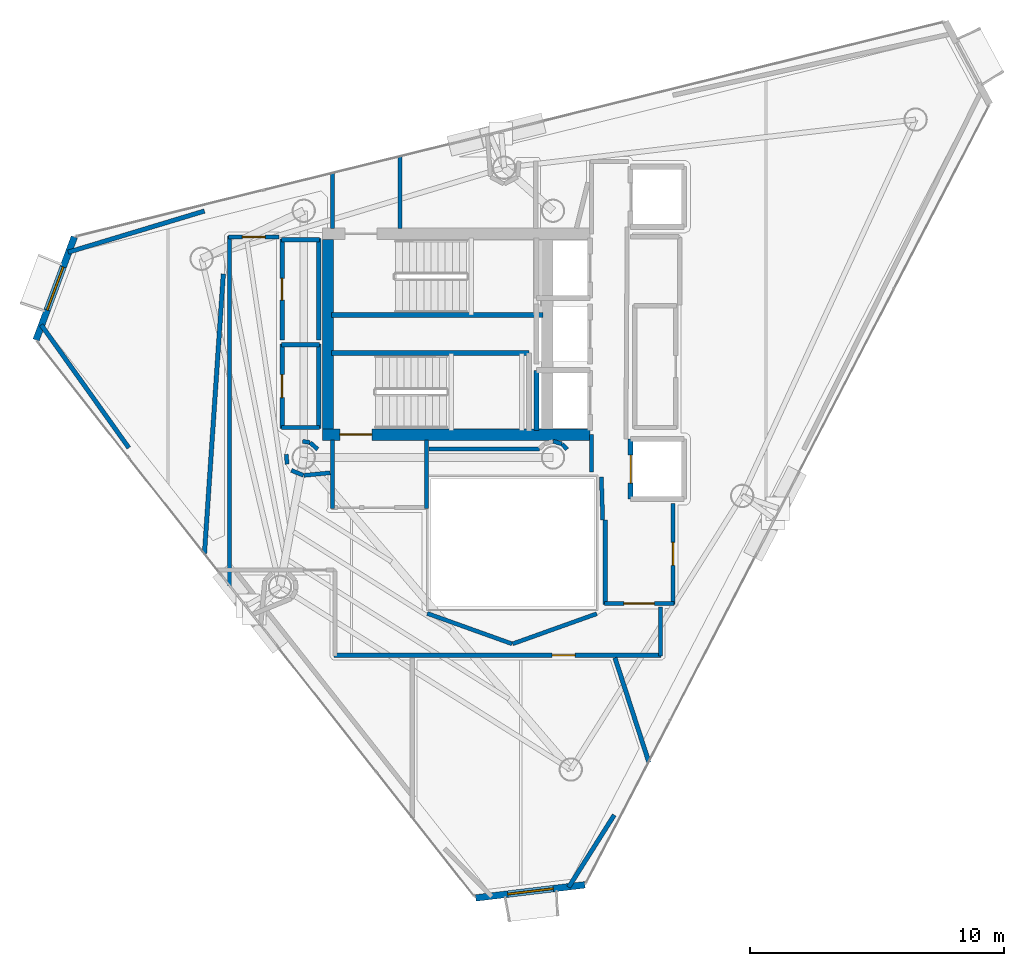
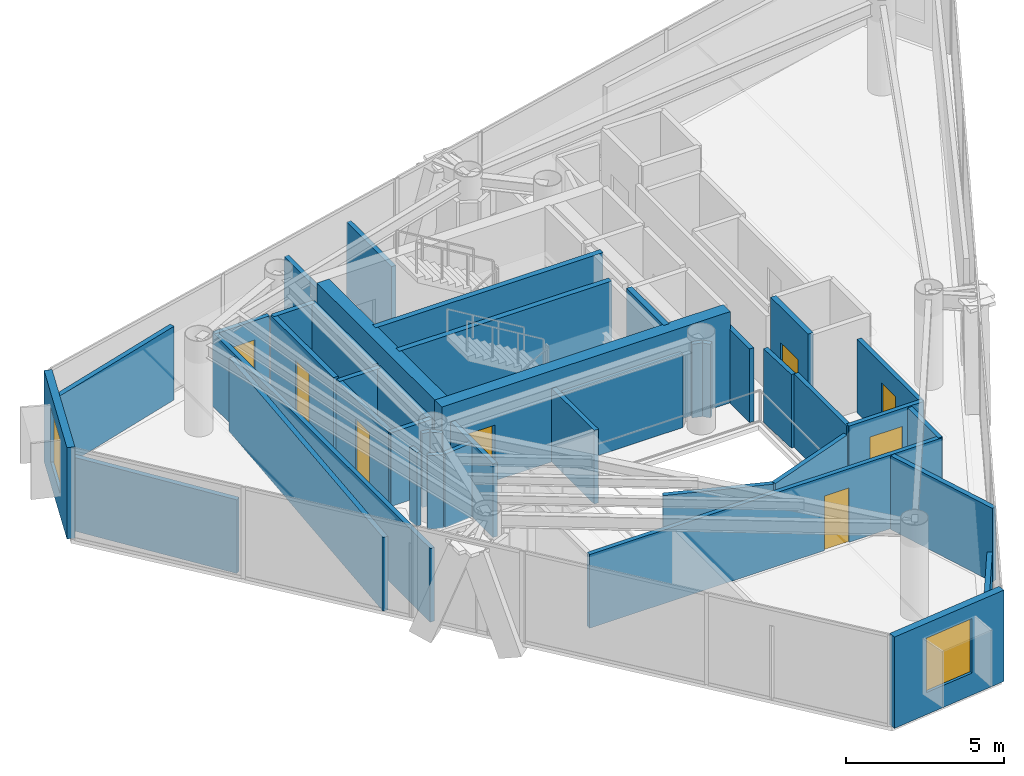
# One storey, part 18 of 21: 43 walls, 8 doors, 2 windows, 10 openings.
"""IFC4 building model written with IfcOpenShell, lengths in metres."""

from ifc_helpers import new_model, si_unit, direction, frame, frame_2d, origin, place, context, subcontext, project, spatial, rectangle, extrude, material, layer, layer_set, type_object, element, fill, save


model = new_model("IFC4")

# Units and contexts
model_context = context("Model", 3, precision=1e-05, world=origin(), true_north=direction((0.0, 1.0)))
body_context = subcontext(model_context, "Body", "Model", "MODEL_VIEW")
ifc_project = project(units=[si_unit("LENGTHUNIT", "METRE"), si_unit("AREAUNIT", "SQUARE_METRE"), si_unit("VOLUMEUNIT", "CUBIC_METRE"), si_unit("PLANEANGLEUNIT", "RADIAN"), si_unit("MASSUNIT", "GRAM", prefix="KILO")], contexts=[model_context])

# Site, building, storey
site_placement = place(None, origin())
site = spatial("IfcSite", under=ifc_project, at=site_placement, CompositionType="ELEMENT")
building_placement = place(site_placement, origin())
building = spatial("IfcBuilding", under=site, at=building_placement, Name="Qianvela Tower", CompositionType="ELEMENT")
storey_placement = place(building_placement, frame((0.0, 0.0, 310.199951171875)))
storey = spatial("IfcBuildingStorey", under=building, at=storey_placement, Name="L80", CompositionType="ELEMENT", Elevation=310.199951171875)

# Wall, opening, window
ifc_material_1 = material(Name="Terracotta Cladding on Concrete C40", Category="masonry")
ifc_layer_1 = layer(ifc_material_1, 0.260009765625)
ifc_layer_set_1 = layer_set([ifc_layer_1], Name="Terracotta Cladding on Concrete C40")
wall_type_1 = type_object("IfcWallType", Name="TERRACOTTA-WALL-260", PredefinedType="SOLIDWALL", material=ifc_layer_set_1)
wall_1_placement = place(storey_placement, frame((19.5859375, 32.5224609375, 0.0), z_axis=(0.0, 0.0, 1.0), x_axis=(-0.34812554465, -0.937447921307, 0.0)))
wall_1 = element("IfcWall", 1, at=wall_1_placement, inside=storey, type_object=wall_type_1, Name="L80 Terracotta Chamfer Facet Wall 3", PredefinedType="SOLIDWALL", context=body_context, shape_type="SweptSolid", body=[
    extrude(rectangle(XDim=4.322021484375, YDim=0.260009765625, at=frame_2d((2.1611328125, 0.0))), origin(), (0.0, 0.0, 1.0), 3.52001953125),
])
opening_1_placement = place(wall_1_placement, frame((1.260986328125, 0.0, 0.85009765625)))
opening_1 = element("IfcOpeningElement", 2, at=opening_1_placement, cuts=wall_1, Name="Opening W-01", PredefinedType="OPENING", context=body_context, shape_type="SweptSolid", body=[
    extrude(rectangle(XDim=1.800048828125, YDim=2.10009765625, at=frame_2d((0.89990234375, 1.050048828125))), frame((0.0, 0.139892578125, 0.0), z_axis=(0.0, -1.0, 0.0), x_axis=(1.0, 0.0, 0.0)), (0.0, 0.0, 1.0), 0.280029296875),
])
ifc_material_2 = material(Name="Thermally Broken Aluminium and Low-E Glass", Category="aluminium")
window_type = type_object("IfcWindowType", Name="WIN-TC-1800x2100", PartitioningType="DOUBLE_PANEL_VERTICAL", PredefinedType="WINDOW", material=ifc_material_2)
window_1_placement = place(opening_1_placement, origin())
window_1 = element("IfcWindow", 3, at=window_1_placement, inside=storey, type_object=window_type, Name="L80 Chamfer Facet Window 3.1", OverallHeight=2.10009765625, OverallWidth=1.800048828125, PartitioningType="SINGLE_PANEL", PredefinedType="WINDOW", context=body_context, shape_type="SweptSolid", body=[
    extrude(rectangle(XDim=1.800048828125, YDim=2.10009765625, at=frame_2d((0.89990234375, 1.050048828125))), frame((0.0, 0.030029296875, 0.0), z_axis=(0.0, -1.0, 0.0), x_axis=(1.0, 0.0, 0.0)), (0.0, 0.0, 1.0), 0.06005859375),
])
fill(opening_1, window_1)

wall_2_placement = place(storey_placement, frame((35.362548828125, 6.541748046875, 0.0), z_axis=(0.0, 0.0, 1.0), x_axis=(0.992851691793, 0.119354589791, 0.0)))
wall_2 = element("IfcWall", 4, at=wall_2_placement, inside=storey, type_object=wall_type_1, Name="L80 Terracotta Chamfer Facet Wall 5", PredefinedType="SOLIDWALL", context=body_context, shape_type="SweptSolid", body=[
    extrude(rectangle(XDim=4.322265625, YDim=0.260009765625, at=frame_2d((2.1611328125, 0.0))), origin(), (0.0, 0.0, 1.0), 3.52001953125),
])
opening_2_placement = place(wall_2_placement, frame((1.260986328125, 0.0, 0.85009765625)))
opening_2 = element("IfcOpeningElement", 5, at=opening_2_placement, cuts=wall_2, Name="Opening W-01", PredefinedType="OPENING", context=body_context, shape_type="SweptSolid", body=[
    extrude(rectangle(XDim=1.800048828125, YDim=2.10009765625, at=frame_2d((0.89990234375, 1.050048828125))), frame((0.0, 0.139892578125, 0.0), z_axis=(0.0, -1.0, 0.0), x_axis=(1.0, 0.0, 0.0)), (0.0, 0.0, 1.0), 0.280029296875),
])
window_2_placement = place(opening_2_placement, origin())
window_2 = element("IfcWindow", 6, at=window_2_placement, inside=storey, type_object=window_type, Name="L80 Chamfer Facet Window 5.1", OverallHeight=2.10009765625, OverallWidth=1.800048828125, PartitioningType="SINGLE_PANEL", PredefinedType="WINDOW", context=body_context, shape_type="SweptSolid", body=[
    extrude(rectangle(XDim=1.800048828125, YDim=2.10009765625, at=frame_2d((0.89990234375, 1.050048828125))), frame((0.0, 0.030029296875, 0.0), z_axis=(0.0, -1.0, 0.0), x_axis=(1.0, 0.0, 0.0)), (0.0, 0.0, 1.0), 0.06005859375),
])
fill(opening_2, window_2)

# Wall, opening, door
ifc_material_3 = material(Name="Concrete C50", Category="concrete")
ifc_layer_2 = layer(ifc_material_3, 0.449951171875)
ifc_layer_set_2 = layer_set([ifc_layer_2], Name="Concrete C50")
wall_type_2 = type_object("IfcWallType", Name="WT-CORE-450", PredefinedType="SHEAR", material=ifc_layer_set_2)
wall_3_placement = place(storey_placement, frame((29.330078125, 24.7548828125, 0.0), z_axis=(0.0, 0.0, 1.0), x_axis=(1.0, 0.0, 0.0)))
wall_3 = element("IfcWall", 7, at=wall_3_placement, inside=storey, type_object=wall_type_2, Name="L80 South Core Shear Wall", PredefinedType="SHEAR", context=body_context, shape_type="SweptSolid", body=[
    extrude(rectangle(XDim=10.52001953125, YDim=0.449951171875, at=frame_2d((5.260009765625, 0.0))), origin(), (0.0, 0.0, 1.0), 3.52001953125),
])
opening_3_placement = place(wall_3_placement, frame((0.695068359375, 0.0, 0.0)))
opening_3 = element("IfcOpeningElement", 8, at=opening_3_placement, cuts=wall_3, Name="Opening D-ST1", PredefinedType="OPENING", context=body_context, shape_type="SweptSolid", body=[
    extrude(rectangle(XDim=1.25, YDim=2.14990234375, at=frame_2d((0.625, 1.074951171875))), frame((0.0, 0.23486328125, 0.0), z_axis=(0.0, -1.0, 0.0), x_axis=(1.0, 0.0, 0.0)), (0.0, 0.0, 1.0), 0.469970703125),
])
ifc_material_4 = material(Name="Galvanised Fire Steel Q355B", Category="steel")
door_type_1 = type_object("IfcDoorType", Name="DT-STAIR-FD90", OperationType="NOTDEFINED", PredefinedType="DOOR", material=ifc_material_4)
door_1_placement = place(opening_3_placement, origin())
door_1 = element("IfcDoor", 9, at=door_1_placement, inside=storey, type_object=door_type_1, Name="L80 Stair ST-2 Exit Door", OperationType="SINGLE_SWING_RIGHT", OverallHeight=2.14990234375, OverallWidth=1.25, PredefinedType="DOOR", context=body_context, shape_type="SweptSolid", body=[
    extrude(rectangle(XDim=1.25, YDim=2.14990234375, at=frame_2d((0.625, 1.074951171875))), frame((0.0, 0.02490234375, 0.0), z_axis=(0.0, -1.0, 0.0), x_axis=(1.0, 0.0, 0.0)), (0.0, 0.0, 1.0), 0.050048828125),
])
fill(opening_3, door_1)

# Walls
wall_4_placement = place(storey_placement, frame((29.554931640625, 24.97998046875, 0.0), z_axis=(0.0, 0.0, 1.0), x_axis=(0.0, 1.0, 0.0)))
element("IfcWall", 10, at=wall_4_placement, inside=storey, type_object=wall_type_2, Name="L80 West Core Shear Wall", PredefinedType="SHEAR", context=body_context, shape_type="SweptSolid", body=[
    extrude(rectangle(XDim=7.43994140625, YDim=0.449951171875, at=frame_2d((3.719970703125, 0.0))), origin(), (0.0, 0.0, 1.0), 3.52001953125),
])
ifc_material_5 = material(Name="Fire-Rated Gypsum and Concrete Block", Category="concrete")
ifc_layer_3 = layer(ifc_material_5, 0.159912109375)
ifc_layer_set_3 = layer_set([ifc_layer_3], Name="Fire-Rated Gypsum and Concrete Block")
wall_type_3 = type_object("IfcWallType", Name="WT-CORR-160", PredefinedType="PARTITIONING", material=ifc_layer_set_3)
wall_5_placement = place(storey_placement, frame((29.73095703125, 32.85791015625, 0.0), z_axis=(0.0, 0.0, 1.0), x_axis=(0.0, 1.0, 0.0)))
element("IfcWall", 11, at=wall_5_placement, inside=storey, type_object=wall_type_3, Name="L80 Partition 1", PredefinedType="PARTITIONING", context=body_context, shape_type="SweptSolid", body=[
    extrude(rectangle(XDim=2.19287109375, YDim=0.159912109375, at=frame_2d((1.096435546875, 0.0))), origin(), (0.0, 0.0, 1.0), 2.840087890625),
])
wall_6_placement = place(storey_placement, frame((32.388916015625, 35.707763671875, 0.0), z_axis=(0.0, 0.0, 1.0), x_axis=(0.0, -1.0, 0.0)))
element("IfcWall", 12, at=wall_6_placement, inside=storey, type_object=wall_type_3, Name="L80 Partition 3", PredefinedType="PARTITIONING", context=body_context, shape_type="SweptSolid", body=[
    extrude(rectangle(XDim=2.849853515625, YDim=0.159912109375, at=frame_2d((1.4248046875, 0.0))), origin(), (0.0, 0.0, 1.0), 2.840087890625),
])
for number, where, z_axis, x_axis, name in (
    (13, (29.73095703125, 21.85009765625, 0.0), (0.0, 0.0, 1.0), (0.0, 1.0, 0.0), "L80 Partition 6"),
    (14, (33.4189453125, 24.5419921875, 0.0), (0.0, 0.0, 1.0), (0.0, -1.0, 0.0), "L80 Partition 8"),
):
    element("IfcWall", number, at=place(storey_placement, frame(where, z_axis=z_axis, x_axis=x_axis)), inside=storey, type_object=wall_type_3, Name=name, PredefinedType="PARTITIONING", context=body_context, shape_type="SweptSolid", body=[
        extrude(rectangle(XDim=2.69189453125, YDim=0.159912109375, at=frame_2d((1.345947265625, 0.0))), origin(), (0.0, 0.0, 1.0), 2.840087890625),
    ])
wall_7_placement = place(storey_placement, frame((40.35107421875, 21.40087890625, 0.0), z_axis=(0.0, 0.0, 1.0), x_axis=(-0.031058045979, 0.999517582527, 0.0)))
element("IfcWall", 15, at=wall_7_placement, inside=storey, type_object=wall_type_3, Name="L80 Partition 9", PredefinedType="PARTITIONING", context=body_context, shape_type="SweptSolid", body=[
    extrude(rectangle(XDim=1.68212890625, YDim=0.159912109375, at=frame_2d((0.841064453125, 0.0))), origin(), (0.0, 0.0, 1.0), 2.840087890625),
])
wall_8_placement = place(storey_placement, frame((39.910888671875, 23.280029296875, 0.0), z_axis=(0.0, 0.0, 1.0), x_axis=(0.0, 1.0, 0.0)))
element("IfcWall", 16, at=wall_8_placement, inside=storey, type_object=wall_type_3, Name="L80 Partition 10", PredefinedType="PARTITIONING", context=body_context, shape_type="SweptSolid", body=[
    extrude(rectangle(XDim=1.47998046875, YDim=0.159912109375, at=frame_2d((0.739990234375, 0.0))), origin(), (0.0, 0.0, 1.0), 2.840087890625),
])

# Wall, opening, door
wall_9_placement = place(storey_placement, frame((43.118896484375, 22.050048828125, 0.0), z_axis=(0.0, 0.0, 1.0), x_axis=(0.0, -1.0, 0.0)))
wall_9 = element("IfcWall", 17, at=wall_9_placement, inside=storey, type_object=wall_type_3, Name="L80 Partition 16", PredefinedType="PARTITIONING", context=body_context, shape_type="SweptSolid", body=[
    extrude(rectangle(XDim=3.969970703125, YDim=0.159912109375, at=frame_2d((1.98486328125, 0.0))), origin(), (0.0, 0.0, 1.0), 2.840087890625),
])
opening_4_placement = place(wall_9_placement, frame((1.534912109375, 0.0, 0.0)))
opening_4 = element("IfcOpeningElement", 18, at=opening_4_placement, cuts=wall_9, Name="Opening D-KT1", PredefinedType="OPENING", context=body_context, shape_type="SweptSolid", body=[
    extrude(rectangle(XDim=0.89990234375, YDim=2.10009765625, at=frame_2d((0.449951171875, 1.050048828125))), frame((0.0, 0.08984375, 0.0), z_axis=(0.0, -1.0, 0.0), x_axis=(1.0, 0.0, 0.0)), (0.0, 0.0, 1.0), 0.179931640625),
])
ifc_material_6 = material(Name="Glazed Timber Kitchen Door", Category="wood")
door_type_2 = type_object("IfcDoorType", Name="DT-KITCH-900", OperationType="NOTDEFINED", PredefinedType="DOOR", material=ifc_material_6)
door_2_placement = place(opening_4_placement, origin())
door_2 = element("IfcDoor", 19, at=door_2_placement, inside=storey, type_object=door_type_2, Name="L80 Door Student Tea Pantry L80-02 to L80 Lift Lobby", OperationType="SINGLE_SWING_RIGHT", OverallHeight=2.10009765625, OverallWidth=0.89990234375, PredefinedType="DOOR", context=body_context, shape_type="SweptSolid", body=[
    extrude(rectangle(XDim=0.89990234375, YDim=2.10009765625, at=frame_2d((0.449951171875, 1.050048828125))), frame((0.0, 0.02490234375, 0.0), z_axis=(0.0, -1.0, 0.0), x_axis=(1.0, 0.0, 0.0)), (0.0, 0.0, 1.0), 0.050048828125),
])
fill(opening_4, door_2)

wall_10_placement = place(storey_placement, frame((43.14990234375, 18.111083984375, 0.0), z_axis=(0.0, 0.0, 1.0), x_axis=(-1.0, 0.0, 0.0)))
wall_10 = element("IfcWall", 20, at=wall_10_placement, inside=storey, type_object=wall_type_3, Name="L80 Partition 17", PredefinedType="PARTITIONING", context=body_context, shape_type="SweptSolid", body=[
    extrude(rectangle(XDim=2.72998046875, YDim=0.159912109375, at=frame_2d((1.364990234375, 0.0))), origin(), (0.0, 0.0, 1.0), 2.840087890625),
])
opening_5_placement = place(wall_10_placement, frame((0.764892578125, 0.0, 0.0)))
opening_5 = element("IfcOpeningElement", 21, at=opening_5_placement, cuts=wall_10, Name="Opening D-LB1", PredefinedType="OPENING", context=body_context, shape_type="SweptSolid", body=[
    extrude(rectangle(XDim=1.199951171875, YDim=2.14990234375, at=frame_2d((0.60009765625, 1.074951171875))), frame((0.0, 0.08984375, 0.0), z_axis=(0.0, -1.0, 0.0), x_axis=(1.0, 0.0, 0.0)), (0.0, 0.0, 1.0), 0.179931640625),
])
ifc_material_7 = material(Name="Glazed Fire-Rated Steel Frame", Category="steel")
door_type_3 = type_object("IfcDoorType", Name="DT-LOBBY-FD90", OperationType="NOTDEFINED", PredefinedType="DOOR", material=ifc_material_7)
door_3_placement = place(opening_5_placement, origin())
door_3 = element("IfcDoor", 22, at=door_3_placement, inside=storey, type_object=door_type_3, Name="L80 Door L80 Lift Lobby to L80 Floor Corridor", OperationType="SINGLE_SWING_LEFT", OverallHeight=2.14990234375, OverallWidth=1.199951171875, PredefinedType="DOOR", context=body_context, shape_type="SweptSolid", body=[
    extrude(rectangle(XDim=1.199951171875, YDim=2.14990234375, at=frame_2d((0.60009765625, 1.074951171875))), frame((0.0, 0.02490234375, 0.0), z_axis=(0.0, -1.0, 0.0), x_axis=(1.0, 0.0, 0.0)), (0.0, 0.0, 1.0), 0.050048828125),
])
fill(opening_5, door_3)

# Walls
wall_11_placement = place(storey_placement, frame((40.450927734375, 18.080078125, 0.0), z_axis=(0.0, 0.0, 1.0), x_axis=(0.0, 1.0, 0.0)))
element("IfcWall", 23, at=wall_11_placement, inside=storey, type_object=wall_type_3, Name="L80 Partition 18 seg 1", PredefinedType="PARTITIONING", context=body_context, shape_type="SweptSolid", body=[
    extrude(rectangle(XDim=3.31982421875, YDim=0.159912109375, at=frame_2d((1.659912109375, 0.0))), origin(), (0.0, 0.0, 1.0), 2.840087890625),
])
wall_12_placement = place(storey_placement, frame((38.950927734375, 24.1708984375, 0.0), z_axis=(0.0, 0.0, 1.0), x_axis=(-0.674186852077, 0.738560822469, 0.0)))
element("IfcWall", 24, at=wall_12_placement, inside=storey, type_object=wall_type_3, Name="L80 Partition 33", PredefinedType="PARTITIONING", context=body_context, shape_type="SweptSolid", body=[
    extrude(rectangle(XDim=0.28076171875, YDim=0.159912109375, at=frame_2d((0.140380859375, 0.0))), origin(), (0.0, 0.0, 1.0), 2.840087890625),
])
wall_13_placement = place(storey_placement, frame((38.747802734375, 24.386962890625, 0.0), z_axis=(0.0, 0.0, 1.0), x_axis=(-0.956948991291, 0.290256142171, 0.0)))
element("IfcWall", 25, at=wall_13_placement, inside=storey, type_object=wall_type_3, Name="L80 Partition 34", PredefinedType="PARTITIONING", context=body_context, shape_type="SweptSolid", body=[
    extrude(rectangle(XDim=0.35400390625, YDim=0.159912109375, at=frame_2d((0.177001953125, 0.0))), origin(), (0.0, 0.0, 1.0), 2.840087890625),
])
wall_14_placement = place(storey_placement, frame((37.8720703125, 24.180908203125, 0.0), z_axis=(0.0, 0.0, 1.0), x_axis=(-1.0, 0.0, 0.0)))
element("IfcWall", 26, at=wall_14_placement, inside=storey, type_object=wall_type_3, Name="L80 Partition 37", PredefinedType="PARTITIONING", context=body_context, shape_type="SweptSolid", body=[
    extrude(rectangle(XDim=4.342041015625, YDim=0.159912109375, at=frame_2d((2.1708984375, 0.0))), origin(), (0.0, 0.0, 1.0), 2.840087890625),
])
wall_15_placement = place(storey_placement, frame((29.148681640625, 24.173095703125, 0.0), z_axis=(0.0, 0.0, 1.0), x_axis=(-0.745225165416, 0.666812906917, 0.0)))
element("IfcWall", 27, at=wall_15_placement, inside=storey, type_object=wall_type_3, Name="L80 Partition 47", PredefinedType="PARTITIONING", context=body_context, shape_type="SweptSolid", body=[
    extrude(rectangle(XDim=0.3955078125, YDim=0.159912109375, at=frame_2d((0.19775390625, 0.0))), origin(), (0.0, 0.0, 1.0), 2.840087890625),
])
wall_16_placement = place(storey_placement, frame((28.837890625, 24.444091796875, 0.0), z_axis=(0.0, 0.0, 1.0), x_axis=(-0.989449148305, 0.144880581578, 0.0)))
element("IfcWall", 28, at=wall_16_placement, inside=storey, type_object=wall_type_3, Name="L80 Partition 48", PredefinedType="PARTITIONING", context=body_context, shape_type="SweptSolid", body=[
    extrude(rectangle(XDim=0.286376953125, YDim=0.159912109375, at=frame_2d((0.14306640625, 0.0))), origin(), (0.0, 0.0, 1.0), 2.840087890625),
])

# Wall, opening, door
wall_17_placement = place(storey_placement, frame((25.64990234375, 32.51904296875, 0.0), z_axis=(0.0, 0.0, 1.0), x_axis=(1.0, 0.0, 0.0)))
wall_17 = element("IfcWall", 29, at=wall_17_placement, inside=storey, type_object=wall_type_3, Name="L80 Partition 58", PredefinedType="PARTITIONING", context=body_context, shape_type="SweptSolid", body=[
    extrude(rectangle(XDim=1.97021484375, YDim=0.159912109375, at=frame_2d((0.985107421875, 0.0))), origin(), (0.0, 0.0, 1.0), 2.840087890625),
])
opening_6_placement = place(wall_17_placement, frame((0.534912109375, 0.0, 0.0)))
opening_6 = element("IfcOpeningElement", 30, at=opening_6_placement, cuts=wall_17, Name="Opening D-KT1", PredefinedType="OPENING", context=body_context, shape_type="SweptSolid", body=[
    extrude(rectangle(XDim=0.89990234375, YDim=2.10009765625, at=frame_2d((0.449951171875, 1.050048828125))), frame((0.0, 0.08984375, 0.0), z_axis=(0.0, -1.0, 0.0), x_axis=(1.0, 0.0, 0.0)), (0.0, 0.0, 1.0), 0.179931640625),
])
door_4_placement = place(opening_6_placement, origin())
door_4 = element("IfcDoor", 31, at=door_4_placement, inside=storey, type_object=door_type_2, Name="L80 Door Floor Dining Kitchen L80-03 to L80 Floor Corridor", OperationType="SINGLE_SWING_LEFT", OverallHeight=2.10009765625, OverallWidth=0.89990234375, PredefinedType="DOOR", context=body_context, shape_type="SweptSolid", body=[
    extrude(rectangle(XDim=0.89990234375, YDim=2.10009765625, at=frame_2d((0.449951171875, 1.050048828125))), frame((0.0, 0.02490234375, 0.0), z_axis=(0.0, -1.0, 0.0), x_axis=(1.0, 0.0, 0.0)), (0.0, 0.0, 1.0), 0.050048828125),
])
fill(opening_6, door_4)

# Walls
wall_18_placement = place(storey_placement, frame((27.912109375, 23.977783203125, 0.0), z_axis=(0.0, 0.0, 1.0), x_axis=(0.097888269922, -0.995197410875, 0.0)))
element("IfcWall", 32, at=wall_18_placement, inside=storey, type_object=wall_type_3, Name="L80 Partition 60", PredefinedType="PARTITIONING", context=body_context, shape_type="SweptSolid", body=[
    extrude(rectangle(XDim=0.38916015625, YDim=0.159912109375, at=frame_2d((0.194580078125, 0.0))), origin(), (0.0, 0.0, 1.0), 2.840087890625),
])
wall_19_placement = place(storey_placement, frame((28.114501953125, 23.34765625, 0.0), z_axis=(0.0, 0.0, 1.0), x_axis=(0.923807847969, -0.382856448334, 0.0)))
element("IfcWall", 33, at=wall_19_placement, inside=storey, type_object=wall_type_3, Name="L80 Partition 61", PredefinedType="PARTITIONING", context=body_context, shape_type="SweptSolid", body=[
    extrude(rectangle(XDim=0.5126953125, YDim=0.159912109375, at=frame_2d((0.25634765625, 0.0))), origin(), (0.0, 0.0, 1.0), 2.840087890625),
])
wall_20_placement = place(storey_placement, frame((28.60302734375, 23.149169921875, 0.0), z_axis=(0.0, 0.0, 1.0), x_axis=(0.995179827095, 0.098066873836, 0.0)))
element("IfcWall", 34, at=wall_20_placement, inside=storey, type_object=wall_type_3, Name="L80 Partition 62", PredefinedType="PARTITIONING", context=body_context, shape_type="SweptSolid", body=[
    extrude(rectangle(XDim=1.043212890625, YDim=0.159912109375, at=frame_2d((0.521484375, 0.0))), origin(), (0.0, 0.0, 1.0), 2.840087890625),
])
wall_21_placement = place(storey_placement, frame((33.45751953125, 17.723876953125, 0.0), z_axis=(0.0, 0.0, 1.0), x_axis=(0.94128854789, -0.337603124408, 0.0)))
element("IfcWall", 35, at=wall_21_placement, inside=storey, type_object=wall_type_3, Name="L80 Partition 65", PredefinedType="PARTITIONING", context=body_context, shape_type="SweptSolid", body=[
    extrude(rectangle(XDim=3.539794921875, YDim=0.159912109375, at=frame_2d((1.77001953125, 0.0))), origin(), (0.0, 0.0, 1.0), 2.840087890625),
])
wall_22_placement = place(storey_placement, frame((36.810302734375, 16.52880859375, 0.0), z_axis=(0.0, 0.0, 1.0), x_axis=(0.941548344365, 0.33687789364, 0.0)))
element("IfcWall", 36, at=wall_22_placement, inside=storey, type_object=wall_type_3, Name="L80 Partition 66", PredefinedType="PARTITIONING", context=body_context, shape_type="SweptSolid", body=[
    extrude(rectangle(XDim=3.5126953125, YDim=0.159912109375, at=frame_2d((1.75634765625, 0.0))), origin(), (0.0, 0.0, 1.0), 2.840087890625),
])
wall_23_placement = place(storey_placement, frame((42.618896484375, 17.97998046875, 0.0), z_axis=(0.0, 0.0, 1.0), x_axis=(0.0, -1.0, 0.0)))
element("IfcWall", 37, at=wall_23_placement, inside=storey, type_object=wall_type_3, Name="L80 Partition 68", PredefinedType="PARTITIONING", context=body_context, shape_type="SweptSolid", body=[
    extrude(rectangle(XDim=1.929931640625, YDim=0.159912109375, at=frame_2d((0.96484375, 0.0))), origin(), (0.0, 0.0, 1.0), 2.840087890625),
])

# Wall, opening, door
wall_24_placement = place(storey_placement, frame((42.64990234375, 16.0810546875, 0.0), z_axis=(0.0, 0.0, 1.0), x_axis=(-1.0, 0.0, 0.0)))
wall_24 = element("IfcWall", 38, at=wall_24_placement, inside=storey, type_object=wall_type_3, Name="L80 Partition 69", PredefinedType="PARTITIONING", context=body_context, shape_type="SweptSolid", body=[
    extrude(rectangle(XDim=12.849853515625, YDim=0.159912109375, at=frame_2d((6.4248046875, 0.0))), origin(), (0.0, 0.0, 1.0), 2.840087890625),
])
opening_7_placement = place(wall_24_placement, frame((3.3857421875, 0.0, 0.0)))
opening_7 = element("IfcOpeningElement", 39, at=opening_7_placement, cuts=wall_24, Name="Opening D-KT1", PredefinedType="OPENING", context=body_context, shape_type="SweptSolid", body=[
    extrude(rectangle(XDim=0.89990234375, YDim=2.10009765625, at=frame_2d((0.449951171875, 1.050048828125))), frame((0.0, 0.08984375, 0.0), z_axis=(0.0, -1.0, 0.0), x_axis=(1.0, 0.0, 0.0)), (0.0, 0.0, 1.0), 0.179931640625),
])
door_5_placement = place(opening_7_placement, origin())
door_5 = element("IfcDoor", 40, at=door_5_placement, inside=storey, type_object=door_type_2, Name="L80 Door Social Galley Kitchen L80-04 to L80 Floor Corridor", OperationType="SINGLE_SWING_RIGHT", OverallHeight=2.10009765625, OverallWidth=0.89990234375, PredefinedType="DOOR", context=body_context, shape_type="SweptSolid", body=[
    extrude(rectangle(XDim=0.89990234375, YDim=2.10009765625, at=frame_2d((0.449951171875, 1.050048828125))), frame((0.0, 0.02490234375, 0.0), z_axis=(0.0, -1.0, 0.0), x_axis=(1.0, 0.0, 0.0)), (0.0, 0.0, 1.0), 0.050048828125),
])
fill(opening_7, door_5)

# Wall
wall_25_placement = place(storey_placement, frame((25.680908203125, 18.80712890625, 0.0), z_axis=(0.0, 0.0, 1.0), x_axis=(0.0, 1.0, 0.0)))
element("IfcWall", 41, at=wall_25_placement, inside=storey, type_object=wall_type_3, Name="L80 Partition 72", PredefinedType="PARTITIONING", context=body_context, shape_type="SweptSolid", body=[
    extrude(rectangle(XDim=13.742919921875, YDim=0.159912109375, at=frame_2d((6.87158203125, 0.0))), origin(), (0.0, 0.0, 1.0), 2.840087890625),
])

# Wall, opening, door
ifc_material_8 = material(Name="Moisture-Resistant Acoustic Plumbing Wall")
ifc_layer_4 = layer(ifc_material_8, 0.175048828125)
ifc_layer_set_4 = layer_set([ifc_layer_4], Name="Moisture-Resistant Acoustic Plumbing Wall")
wall_type_4 = type_object("IfcWallType", Name="WT-PLUMB-175", PredefinedType="PLUMBINGWALL", material=ifc_layer_set_4)
wall_26_placement = place(storey_placement, frame((27.7509765625, 25.0, 0.0), z_axis=(0.0, 0.0, 1.0), x_axis=(0.0, 1.0, 0.0)))
wall_26 = element("IfcWall", 42, at=wall_26_placement, inside=storey, type_object=wall_type_4, Name="L80 Partition 23", PredefinedType="PLUMBINGWALL", context=body_context, shape_type="SweptSolid", body=[
    extrude(rectangle(XDim=3.320068359375, YDim=0.175048828125, at=frame_2d((1.66015625, 0.0))), origin(), (0.0, 0.0, 1.0), 2.840087890625),
])
opening_8_placement = place(wall_26_placement, frame((1.2099609375, 0.0, 0.0)))
opening_8 = element("IfcOpeningElement", 43, at=opening_8_placement, cuts=wall_26, Name="Opening D-KT1", PredefinedType="OPENING", context=body_context, shape_type="SweptSolid", body=[
    extrude(rectangle(XDim=0.89990234375, YDim=2.10009765625, at=frame_2d((0.449951171875, 1.050048828125))), frame((0.0, 0.097412109375, 0.0), z_axis=(0.0, -1.0, 0.0), x_axis=(1.0, 0.0, 0.0)), (0.0, 0.0, 1.0), 0.195068359375),
])
door_6_placement = place(opening_8_placement, origin())
door_6 = element("IfcDoor", 44, at=door_6_placement, inside=storey, type_object=door_type_2, Name="L80 Door L80 Core Tea Pantry West to L80 Floor Corridor", OperationType="SINGLE_SWING_RIGHT", OverallHeight=2.10009765625, OverallWidth=0.89990234375, PredefinedType="DOOR", context=body_context, shape_type="SweptSolid", body=[
    extrude(rectangle(XDim=0.89990234375, YDim=2.10009765625, at=frame_2d((0.449951171875, 1.050048828125))), frame((0.0, 0.02490234375, 0.0), z_axis=(0.0, -1.0, 0.0), x_axis=(1.0, 0.0, 0.0)), (0.0, 0.0, 1.0), 0.050048828125),
])
fill(opening_8, door_6)

# Walls
wall_27_placement = place(storey_placement, frame((27.719970703125, 28.2890625, 0.0), z_axis=(0.0, 0.0, 1.0), x_axis=(1.0, 0.0, 0.0)))
element("IfcWall", 45, at=wall_27_placement, inside=storey, type_object=wall_type_4, Name="L80 Partition 24", PredefinedType="PLUMBINGWALL", context=body_context, shape_type="SweptSolid", body=[
    extrude(rectangle(XDim=1.5, YDim=0.175048828125, at=frame_2d((0.75, 0.0))), origin(), (0.0, 0.0, 1.0), 2.840087890625),
])
wall_28_placement = place(storey_placement, frame((29.18896484375, 28.320068359375, 0.0), z_axis=(0.0, 0.0, 1.0), x_axis=(0.0, -1.0, 0.0)))
element("IfcWall", 46, at=wall_28_placement, inside=storey, type_object=wall_type_4, Name="L80 Partition 25", PredefinedType="PLUMBINGWALL", context=body_context, shape_type="SweptSolid", body=[
    extrude(rectangle(XDim=3.320068359375, YDim=0.175048828125, at=frame_2d((1.66015625, 0.0))), origin(), (0.0, 0.0, 1.0), 2.840087890625),
])
wall_29_placement = place(storey_placement, frame((29.219970703125, 25.031005859375, 0.0), z_axis=(0.0, 0.0, 1.0), x_axis=(-1.0, 0.0, 0.0)))
element("IfcWall", 47, at=wall_29_placement, inside=storey, type_object=wall_type_4, Name="L80 Partition 26", PredefinedType="PLUMBINGWALL", context=body_context, shape_type="SweptSolid", body=[
    extrude(rectangle(XDim=1.5, YDim=0.175048828125, at=frame_2d((0.75, 0.0))), origin(), (0.0, 0.0, 1.0), 2.840087890625),
])

# Wall, opening, door
wall_30_placement = place(storey_placement, frame((27.7509765625, 28.47998046875, 0.0), z_axis=(0.0, 0.0, 1.0), x_axis=(0.0, 1.0, 0.0)))
wall_30 = element("IfcWall", 48, at=wall_30_placement, inside=storey, type_object=wall_type_4, Name="L80 Partition 27", PredefinedType="PLUMBINGWALL", context=body_context, shape_type="SweptSolid", body=[
    extrude(rectangle(XDim=3.969970703125, YDim=0.175048828125, at=frame_2d((1.98486328125, 0.0))), origin(), (0.0, 0.0, 1.0), 2.840087890625),
])
opening_9_placement = place(wall_30_placement, frame((1.554931640625, 0.0, 0.0)))
opening_9 = element("IfcOpeningElement", 49, at=opening_9_placement, cuts=wall_30, Name="Opening D-WC1", PredefinedType="OPENING", context=body_context, shape_type="SweptSolid", body=[
    extrude(rectangle(XDim=0.860107421875, YDim=2.050048828125, at=frame_2d((0.43017578125, 1.02490234375))), frame((0.0, 0.097412109375, 0.0), z_axis=(0.0, -1.0, 0.0), x_axis=(1.0, 0.0, 0.0)), (0.0, 0.0, 1.0), 0.195068359375),
])
ifc_material_9 = material(Name="Moisture-Sealed Acoustic Timber Door", Category="wood")
door_type_4 = type_object("IfcDoorType", Name="DT-WC-860", OperationType="NOTDEFINED", PredefinedType="DOOR", material=ifc_material_9)
door_7_placement = place(opening_9_placement, origin())
door_7 = element("IfcDoor", 50, at=door_7_placement, inside=storey, type_object=door_type_4, Name="L80 Door L80 Accessible WC to L80 Floor Corridor", OperationType="SINGLE_SWING_LEFT", OverallHeight=2.050048828125, OverallWidth=0.860107421875, PredefinedType="DOOR", context=body_context, shape_type="SweptSolid", body=[
    extrude(rectangle(XDim=0.860107421875, YDim=2.050048828125, at=frame_2d((0.43017578125, 1.02490234375))), frame((0.0, 0.02490234375, 0.0), z_axis=(0.0, -1.0, 0.0), x_axis=(1.0, 0.0, 0.0)), (0.0, 0.0, 1.0), 0.050048828125),
])
fill(opening_9, door_7)

# Walls
wall_31_placement = place(storey_placement, frame((27.719970703125, 32.4189453125, 0.0), z_axis=(0.0, 0.0, 1.0), x_axis=(1.0, 0.0, 0.0)))
element("IfcWall", 51, at=wall_31_placement, inside=storey, type_object=wall_type_4, Name="L80 Partition 28", PredefinedType="PLUMBINGWALL", context=body_context, shape_type="SweptSolid", body=[
    extrude(rectangle(XDim=1.5, YDim=0.175048828125, at=frame_2d((0.75, 0.0))), origin(), (0.0, 0.0, 1.0), 2.840087890625),
])
wall_32_placement = place(storey_placement, frame((29.18896484375, 32.449951171875, 0.0), z_axis=(0.0, 0.0, 1.0), x_axis=(0.0, -1.0, 0.0)))
element("IfcWall", 52, at=wall_32_placement, inside=storey, type_object=wall_type_4, Name="L80 Partition 29", PredefinedType="PLUMBINGWALL", context=body_context, shape_type="SweptSolid", body=[
    extrude(rectangle(XDim=3.969970703125, YDim=0.175048828125, at=frame_2d((1.98486328125, 0.0))), origin(), (0.0, 0.0, 1.0), 2.840087890625),
])
wall_33_placement = place(storey_placement, frame((42.166748046875, 11.873291015625, 0.0), z_axis=(0.0, 0.0, 1.0), x_axis=(-0.309025977205, 0.95105359755, 0.0)))
element("IfcWall", 53, at=wall_33_placement, inside=storey, type_object=wall_type_4, Name="L80 Partition 99", PredefinedType="PLUMBINGWALL", context=body_context, shape_type="SweptSolid", body=[
    extrude(rectangle(XDim=4.317626953125, YDim=0.175048828125, at=frame_2d((2.15869140625, 0.0))), origin(), (0.0, 0.0, 1.0), 2.840087890625),
])
wall_34_placement = place(storey_placement, frame((25.44091796875, 31.069580078125, 0.0), z_axis=(0.0, 0.0, 1.0), x_axis=(-0.067271723884, -0.997734691772, 0.0)))
element("IfcWall", 54, at=wall_34_placement, inside=storey, type_object=wall_type_4, Name="L80 Partition 113 seg 2", PredefinedType="PLUMBINGWALL", context=body_context, shape_type="SweptSolid", body=[
    extrude(rectangle(XDim=11.021728515625, YDim=0.175048828125, at=frame_2d((5.5107421875, 0.0))), origin(), (0.0, 0.0, 1.0), 2.840087890625),
])
wall_35_placement = place(storey_placement, frame((21.727783203125, 24.231201171875, 0.0), z_axis=(0.0, 0.0, 1.0), x_axis=(-0.580366192464, 0.814355624187, 0.0)))
element("IfcWall", 55, at=wall_35_placement, inside=storey, type_object=wall_type_4, Name="L80 Partition 114 seg 1", PredefinedType="PLUMBINGWALL", context=body_context, shape_type="SweptSolid", body=[
    extrude(rectangle(XDim=5.934814453125, YDim=0.175048828125, at=frame_2d((2.96728515625, 0.0))), origin(), (0.0, 0.0, 1.0), 2.840087890625),
])
wall_36_placement = place(storey_placement, frame((19.344970703125, 31.921142578125, 0.0), z_axis=(0.0, 0.0, 1.0), x_axis=(0.957238131627, 0.289301156859, 0.0)))
element("IfcWall", 56, at=wall_36_placement, inside=storey, type_object=wall_type_4, Name="L80 Partition 116 seg 1", PredefinedType="PLUMBINGWALL", context=body_context, shape_type="SweptSolid", body=[
    extrude(rectangle(XDim=5.59423828125, YDim=0.175048828125, at=frame_2d((2.797119140625, 0.0))), origin(), (0.0, 0.0, 1.0), 2.840087890625),
])
wall_37_placement = place(storey_placement, frame((40.805908203125, 9.801025390625, 0.0), z_axis=(0.0, 0.0, 1.0), x_axis=(-0.534274846976, -0.845310823241, 0.0)))
element("IfcWall", 57, at=wall_37_placement, inside=storey, type_object=wall_type_4, Name="L80 Partition 119 seg 1", PredefinedType="PLUMBINGWALL", context=body_context, shape_type="SweptSolid", body=[
    extrude(rectangle(XDim=3.3564453125, YDim=0.175048828125, at=frame_2d((1.67822265625, 0.0))), origin(), (0.0, 0.0, 1.0), 2.840087890625),
])
ifc_material_10 = material(Name="Concrete C50", Category="concrete")
ifc_layer_5 = layer(ifc_material_10, 0.199951171875)
ifc_layer_set_5 = layer_set([ifc_layer_5], Name="Concrete C50")
wall_type_5 = type_object("IfcWallType", Name="WT-SHAFT-200", PredefinedType="SOLIDWALL", material=ifc_layer_set_5)
wall_38_placement = place(storey_placement, frame((29.699951171875, 29.449951171875, 0.0), z_axis=(0.0, 0.0, 1.0), x_axis=(1.0, 0.0, 0.0)))
element("IfcWall", 58, at=wall_38_placement, inside=storey, type_object=wall_type_5, Name="L80 Stair ST-1 South Wall", PredefinedType="SOLIDWALL", context=body_context, shape_type="SweptSolid", body=[
    extrude(rectangle(XDim=8.300048828125, YDim=0.199951171875, at=frame_2d((4.14990234375, 0.0))), origin(), (0.0, 0.0, 1.0), 3.52001953125),
])
wall_39_placement = place(storey_placement, frame((29.699951171875, 27.9599609375, 0.0), z_axis=(0.0, 0.0, 1.0), x_axis=(1.0, 0.0, 0.0)))
element("IfcWall", 59, at=wall_39_placement, inside=storey, type_object=wall_type_5, Name="L80 Stair ST-2 North Wall", PredefinedType="SOLIDWALL", context=body_context, shape_type="SweptSolid", body=[
    extrude(rectangle(XDim=7.75, YDim=0.199951171875, at=frame_2d((3.875, 0.0))), origin(), (0.0, 0.0, 1.0), 3.52001953125),
])
wall_40_placement = place(storey_placement, frame((37.75, 24.919921875, 0.0), z_axis=(0.0, 0.0, 1.0), x_axis=(0.0, 1.0, 0.0)))
element("IfcWall", 60, at=wall_40_placement, inside=storey, type_object=wall_type_5, Name="L80 Lift FL-2 W Shaft Wall", PredefinedType="SOLIDWALL", context=body_context, shape_type="SweptSolid", body=[
    extrude(rectangle(XDim=2.360107421875, YDim=0.199951171875, at=frame_2d((1.18017578125, 0.0))), origin(), (0.0, 0.0, 1.0), 3.52001953125),
])

# Wall, opening, door
wall_41_placement = place(storey_placement, frame((41.449951171875, 22.219970703125, 0.0), z_axis=(0.0, 0.0, 1.0), x_axis=(0.0, 1.0, 0.0)))
wall_41 = element("IfcWall", 61, at=wall_41_placement, inside=storey, type_object=wall_type_5, Name="L80 Lift PL-H2 W Shaft Wall", PredefinedType="SOLIDWALL", context=body_context, shape_type="SweptSolid", body=[
    extrude(rectangle(XDim=2.360107421875, YDim=0.199951171875, at=frame_2d((1.18017578125, 0.0))), origin(), (0.0, 0.0, 1.0), 3.52001953125),
])
opening_10_placement = place(wall_41_placement, frame((0.6298828125, 0.0, 0.0)))
opening_10 = element("IfcOpeningElement", 62, at=opening_10_placement, cuts=wall_41, Name="Opening LD-01", PredefinedType="OPENING", context=body_context, shape_type="SweptSolid", body=[
    extrude(rectangle(XDim=1.10009765625, YDim=2.14990234375, at=frame_2d((0.550048828125, 1.074951171875))), frame((0.0, 0.10986328125, 0.0), z_axis=(0.0, -1.0, 0.0), x_axis=(1.0, 0.0, 0.0)), (0.0, 0.0, 1.0), 0.219970703125),
])
ifc_material_11 = material(Name="Brushed Stainless Steel Lift Landing Door", Category="steel")
door_type_5 = type_object("IfcDoorType", Name="DT-LIFT-SLIDE-1100", OperationType="SLIDING_TO_LEFT", PredefinedType="DOOR", material=ifc_material_11)
door_8_placement = place(opening_10_placement, origin())
door_8 = element("IfcDoor", 63, at=door_8_placement, inside=storey, type_object=door_type_5, Name="L80 Lift PL-H2 Sliding Landing Door", OperationType="SLIDING_TO_LEFT", OverallHeight=2.14990234375, OverallWidth=1.10009765625, PredefinedType="DOOR", context=body_context, shape_type="SweptSolid", body=[
    extrude(rectangle(XDim=1.10009765625, YDim=2.14990234375, at=frame_2d((0.550048828125, 1.074951171875))), frame((0.0, 0.02490234375, 0.0), z_axis=(0.0, -1.0, 0.0), x_axis=(1.0, 0.0, 0.0)), (0.0, 0.0, 1.0), 0.050048828125),
])
fill(opening_10, door_8)

save(model, "model.ifc")
